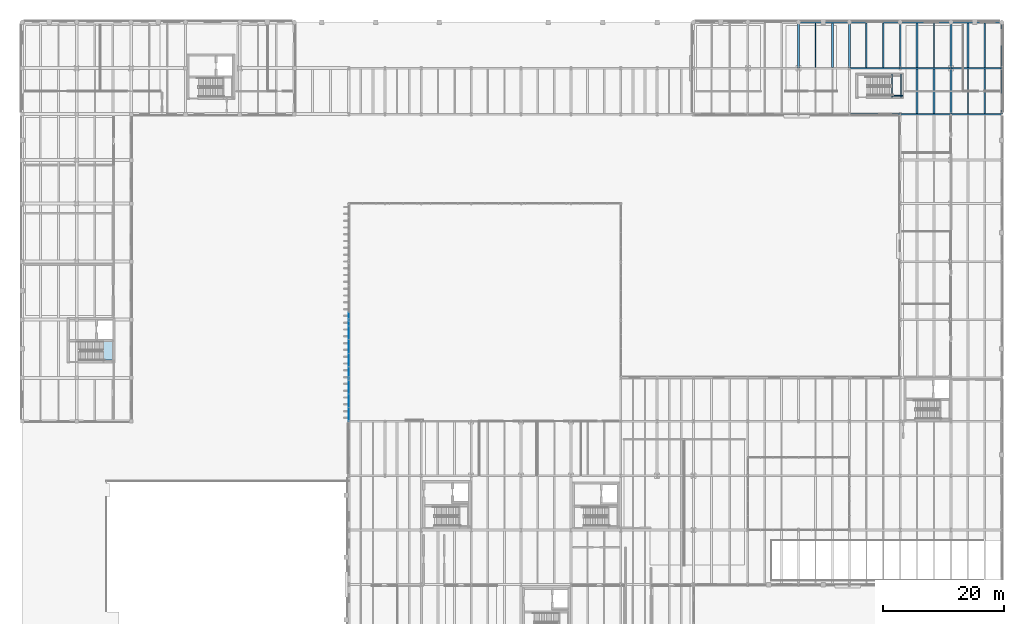
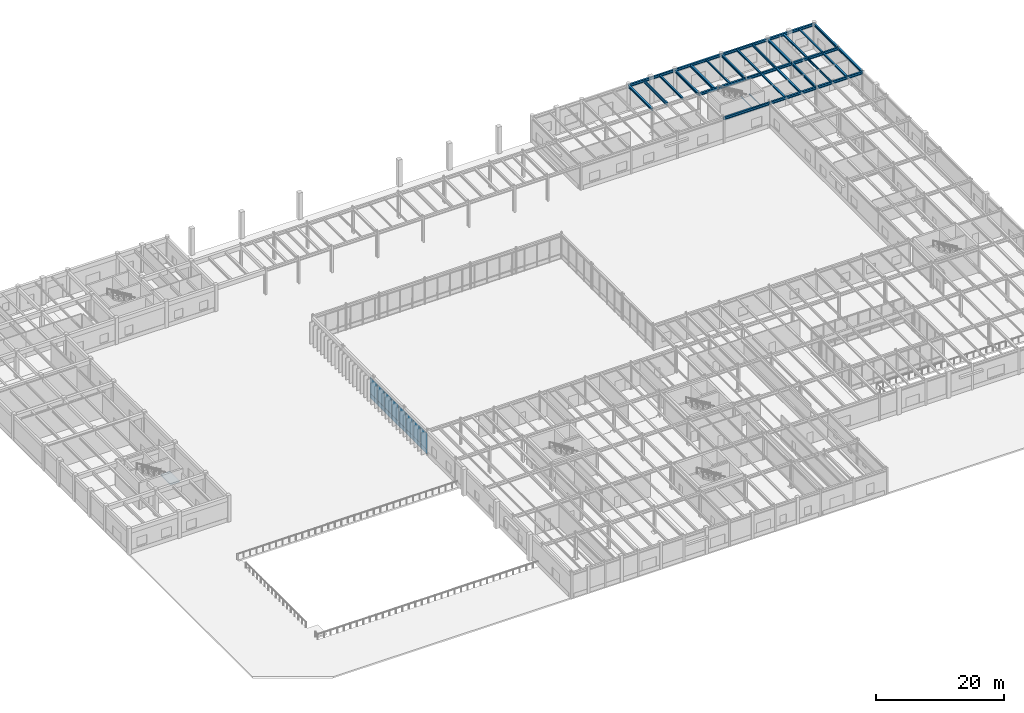
# One storey, part 31 of 64: 32 beams, 16 plates, 1 slab, 3 elements without a shape of their own.
"""IFC4 building model written with IfcOpenShell, lengths in metres."""

from ifc_helpers import new_model, si_unit, direction, frame, origin, origin_2d, place, context, subcontext, project, spatial, polyline, rectangle, i_section, outline, extrude, material, layer, layer_set, material_profile, profile_set, type_object, element, aggregate, save


model = new_model("IFC4")

# Units and contexts
model_context = context("Model", 3, precision=1e-05, world=origin(), true_north=direction((0.0, 1.0)))
body_context = subcontext(model_context, "Body", "Model", "MODEL_VIEW")
ifc_project = project(units=[si_unit("LENGTHUNIT", "METRE"), si_unit("AREAUNIT", "SQUARE_METRE"), si_unit("VOLUMEUNIT", "CUBIC_METRE"), si_unit("PLANEANGLEUNIT", "RADIAN"), si_unit("MASSUNIT", "GRAM", prefix="KILO")], contexts=[model_context])

# Site, building, storey
site_placement = place(None, origin())
site = spatial("IfcSite", under=ifc_project, at=site_placement, CompositionType="ELEMENT")
building_placement = place(site_placement, origin())
building = spatial("IfcBuilding", under=site, at=building_placement, Name="Montealbar Specialist Clinic", CompositionType="ELEMENT")
storey_placement = place(building_placement, origin())
storey = spatial("IfcBuildingStorey", under=building, at=storey_placement, Name="L00", CompositionType="ELEMENT", Elevation=0.0)

# Beams
ifc_material_1 = material(Name="Steel S355", Category="steel")
ifc_material_profile_1 = material_profile(ifc_material_1, i_section(OverallWidth=0.300048828125, OverallDepth=0.449951171875, WebThickness=0.013916015625, FlangeThickness=0.02587890625, FilletRadius=0.027099609375, at=origin_2d()), Name="HEB 450", Category="steel")
ifc_profile_set_1 = profile_set([ifc_material_profile_1], Name="Steel S355")
beam_type_1 = type_object("IfcBeamType", Name="BM-GIRD-HEB450", PredefinedType="BEAM", material=ifc_profile_set_1)
beam_1_placement = place(storey_placement, frame((145.199951171875, 103.39990234375, 4.5849609375), z_axis=(0.0, 1.0, 0.0), x_axis=(-1.0, 0.0, 0.0)))
element("IfcBeam", 1, at=beam_1_placement, inside=storey, type_object=beam_type_1, Name="Beam GY-L00-1452-1034-1110", PredefinedType="BEAM", context=body_context, shape_type="SweptSolid", body=[
    extrude(i_section(OverallWidth=0.300048828125, OverallDepth=0.449951171875, WebThickness=0.013916015625, FlangeThickness=0.02587890625, FilletRadius=0.027099609375, at=origin_2d()), origin(), (0.0, 0.0, 1.0), 7.60009765625),
])
beam_2_placement = place(storey_placement, frame((153.60009765625, 95.800048828125, 4.5849609375), z_axis=(0.0, 1.0, 0.0), x_axis=(-1.0, 0.0, 0.0)))
element("IfcBeam", 2, at=beam_2_placement, inside=storey, type_object=beam_type_1, Name="Beam GY-L00-1536-958-1034", PredefinedType="BEAM", context=body_context, shape_type="SweptSolid", body=[
    extrude(i_section(OverallWidth=0.300048828125, OverallDepth=0.449951171875, WebThickness=0.013916015625, FlangeThickness=0.02587890625, FilletRadius=0.027099609375, at=origin_2d()), origin(), (0.0, 0.0, 1.0), 7.599853515625),
])
beam_3_placement = place(storey_placement, frame((153.60009765625, 103.39990234375, 4.5849609375), z_axis=(0.0, 1.0, 0.0), x_axis=(-1.0, 0.0, 0.0)))
element("IfcBeam", 3, at=beam_3_placement, inside=storey, type_object=beam_type_1, Name="Beam GY-L00-1536-1034-1110", PredefinedType="BEAM", context=body_context, shape_type="SweptSolid", body=[
    extrude(i_section(OverallWidth=0.300048828125, OverallDepth=0.449951171875, WebThickness=0.013916015625, FlangeThickness=0.02587890625, FilletRadius=0.027099609375, at=origin_2d()), origin(), (0.0, 0.0, 1.0), 7.60009765625),
])
ifc_material_profile_2 = material_profile(ifc_material_1, i_section(OverallWidth=0.300048828125, OverallDepth=0.449951171875, WebThickness=0.013916015625, FlangeThickness=0.02587890625, FilletRadius=0.027099609375, at=origin_2d()), Name="HEB 450", Category="steel")
ifc_profile_set_2 = profile_set([ifc_material_profile_2], Name="Steel S355")
beam_type_2 = type_object("IfcBeamType", Name="BM-GIRD-HEB450-EXT", PredefinedType="BEAM", material=ifc_profile_set_2)
for number, where, z_axis, x_axis, name in (
    (4, (128.39990234375, 103.39990234375, 4.5849609375), (0.0, 1.0, 0.0), (-1.0, 0.0, 0.0), "Beam GY-L00-1284-1034-1110"),
    (5, (136.800048828125, 103.39990234375, 4.5849609375), (0.0, 1.0, 0.0), (-1.0, 0.0, 0.0), "Beam GY-L00-1368-1034-1110"),
):
    element("IfcBeam", number, at=place(storey_placement, frame(where, z_axis=z_axis, x_axis=x_axis)), inside=storey, type_object=beam_type_2, Name=name, PredefinedType="BEAM", context=body_context, shape_type="SweptSolid", body=[
        extrude(i_section(OverallWidth=0.300048828125, OverallDepth=0.449951171875, WebThickness=0.013916015625, FlangeThickness=0.02587890625, FilletRadius=0.027099609375, at=origin_2d()), origin(), (0.0, 0.0, 1.0), 7.60009765625),
    ])
beam_4_placement = place(storey_placement, frame((162.0, 95.800048828125, 4.5849609375), z_axis=(0.0, 1.0, 0.0), x_axis=(-1.0, 0.0, 0.0)))
element("IfcBeam", 6, at=beam_4_placement, inside=storey, type_object=beam_type_2, Name="Beam GY-L00-1620-958-1034", PredefinedType="BEAM", context=body_context, shape_type="SweptSolid", body=[
    extrude(i_section(OverallWidth=0.300048828125, OverallDepth=0.449951171875, WebThickness=0.013916015625, FlangeThickness=0.02587890625, FilletRadius=0.027099609375, at=origin_2d()), origin(), (0.0, 0.0, 1.0), 7.599853515625),
])
beam_5_placement = place(storey_placement, frame((162.0, 103.39990234375, 4.5849609375), z_axis=(0.0, 1.0, 0.0), x_axis=(-1.0, 0.0, 0.0)))
element("IfcBeam", 7, at=beam_5_placement, inside=storey, type_object=beam_type_2, Name="Beam GY-L00-1620-1034-1110", PredefinedType="BEAM", context=body_context, shape_type="SweptSolid", body=[
    extrude(i_section(OverallWidth=0.300048828125, OverallDepth=0.449951171875, WebThickness=0.013916015625, FlangeThickness=0.02587890625, FilletRadius=0.027099609375, at=origin_2d()), origin(), (0.0, 0.0, 1.0), 7.60009765625),
])
ifc_material_profile_3 = material_profile(ifc_material_1, i_section(OverallWidth=0.300048828125, OverallDepth=0.5, WebThickness=0.014404296875, FlangeThickness=0.028076171875, FilletRadius=0.027099609375, at=origin_2d()), Name="HEB 500", Category="steel")
ifc_profile_set_3 = profile_set([ifc_material_profile_3], Name="Steel S355")
beam_type_3 = type_object("IfcBeamType", Name="BM-GIRD-HEB500", PredefinedType="BEAM", material=ifc_profile_set_3)
beam_6_placement = place(storey_placement, frame((136.800048828125, 103.39990234375, 4.56005859375), z_axis=(1.0, 0.0, 0.0), x_axis=(0.0, 1.0, 0.0)))
element("IfcBeam", 8, at=beam_6_placement, inside=storey, type_object=beam_type_3, Name="Beam GX-L00-1368-1452-1034", PredefinedType="BEAM", context=body_context, shape_type="SweptSolid", body=[
    extrude(i_section(OverallWidth=0.300048828125, OverallDepth=0.5, WebThickness=0.014404296875, FlangeThickness=0.028076171875, FilletRadius=0.027099609375, at=origin_2d()), origin(), (0.0, 0.0, 1.0), 8.39990234375),
])
beam_7_placement = place(storey_placement, frame((145.199951171875, 103.39990234375, 4.56005859375), z_axis=(1.0, 0.0, 0.0), x_axis=(0.0, 1.0, 0.0)))
element("IfcBeam", 9, at=beam_7_placement, inside=storey, type_object=beam_type_3, Name="Beam GX-L00-1452-1536-1034", PredefinedType="BEAM", context=body_context, shape_type="SweptSolid", body=[
    extrude(i_section(OverallWidth=0.300048828125, OverallDepth=0.5, WebThickness=0.014404296875, FlangeThickness=0.028076171875, FilletRadius=0.027099609375, at=origin_2d()), origin(), (0.0, 0.0, 1.0), 8.400146484375),
])
beam_8_placement = place(storey_placement, frame((153.60009765625, 103.39990234375, 4.56005859375), z_axis=(1.0, 0.0, 0.0), x_axis=(0.0, 1.0, 0.0)))
element("IfcBeam", 10, at=beam_8_placement, inside=storey, type_object=beam_type_3, Name="Beam GX-L00-1536-1620-1034", PredefinedType="BEAM", context=body_context, shape_type="SweptSolid", body=[
    extrude(i_section(OverallWidth=0.300048828125, OverallDepth=0.5, WebThickness=0.014404296875, FlangeThickness=0.028076171875, FilletRadius=0.027099609375, at=origin_2d()), origin(), (0.0, 0.0, 1.0), 8.39990234375),
])
ifc_material_profile_4 = material_profile(ifc_material_1, i_section(OverallWidth=0.300048828125, OverallDepth=0.5, WebThickness=0.014404296875, FlangeThickness=0.028076171875, FilletRadius=0.027099609375, at=origin_2d()), Name="HEB 500", Category="steel")
ifc_profile_set_4 = profile_set([ifc_material_profile_4], Name="Steel S355")
beam_type_4 = type_object("IfcBeamType", Name="BM-GIRD-HEB500-EXT", PredefinedType="BEAM", material=ifc_profile_set_4)
beam_9_placement = place(storey_placement, frame((136.800048828125, 95.800048828125, 4.56005859375), z_axis=(1.0, 0.0, 0.0), x_axis=(0.0, 1.0, 0.0)))
element("IfcBeam", 11, at=beam_9_placement, inside=storey, type_object=beam_type_4, Name="Beam GX-L00-1368-1452-958", PredefinedType="BEAM", context=body_context, shape_type="SweptSolid", body=[
    extrude(i_section(OverallWidth=0.300048828125, OverallDepth=0.5, WebThickness=0.014404296875, FlangeThickness=0.028076171875, FilletRadius=0.027099609375, at=origin_2d()), origin(), (0.0, 0.0, 1.0), 8.39990234375),
])
beam_10_placement = place(storey_placement, frame((145.199951171875, 95.800048828125, 4.56005859375), z_axis=(1.0, 0.0, 0.0), x_axis=(0.0, 1.0, 0.0)))
element("IfcBeam", 12, at=beam_10_placement, inside=storey, type_object=beam_type_4, Name="Beam GX-L00-1452-1536-958", PredefinedType="BEAM", context=body_context, shape_type="SweptSolid", body=[
    extrude(i_section(OverallWidth=0.300048828125, OverallDepth=0.5, WebThickness=0.014404296875, FlangeThickness=0.028076171875, FilletRadius=0.027099609375, at=origin_2d()), origin(), (0.0, 0.0, 1.0), 8.400146484375),
])
beam_11_placement = place(storey_placement, frame((153.60009765625, 95.800048828125, 4.56005859375), z_axis=(1.0, 0.0, 0.0), x_axis=(0.0, 1.0, 0.0)))
element("IfcBeam", 13, at=beam_11_placement, inside=storey, type_object=beam_type_4, Name="Beam GX-L00-1536-1620-958", PredefinedType="BEAM", context=body_context, shape_type="SweptSolid", body=[
    extrude(i_section(OverallWidth=0.300048828125, OverallDepth=0.5, WebThickness=0.014404296875, FlangeThickness=0.028076171875, FilletRadius=0.027099609375, at=origin_2d()), origin(), (0.0, 0.0, 1.0), 8.39990234375),
])
beam_12_placement = place(storey_placement, frame((128.39990234375, 111.0, 4.56005859375), z_axis=(1.0, 0.0, 0.0), x_axis=(0.0, 1.0, 0.0)))
element("IfcBeam", 14, at=beam_12_placement, inside=storey, type_object=beam_type_4, Name="Beam GX-L00-1284-1368-1110", PredefinedType="BEAM", context=body_context, shape_type="SweptSolid", body=[
    extrude(i_section(OverallWidth=0.300048828125, OverallDepth=0.5, WebThickness=0.014404296875, FlangeThickness=0.028076171875, FilletRadius=0.027099609375, at=origin_2d()), origin(), (0.0, 0.0, 1.0), 8.400146484375),
])
beam_13_placement = place(storey_placement, frame((136.800048828125, 111.0, 4.56005859375), z_axis=(1.0, 0.0, 0.0), x_axis=(0.0, 1.0, 0.0)))
element("IfcBeam", 15, at=beam_13_placement, inside=storey, type_object=beam_type_4, Name="Beam GX-L00-1368-1452-1110", PredefinedType="BEAM", context=body_context, shape_type="SweptSolid", body=[
    extrude(i_section(OverallWidth=0.300048828125, OverallDepth=0.5, WebThickness=0.014404296875, FlangeThickness=0.028076171875, FilletRadius=0.027099609375, at=origin_2d()), origin(), (0.0, 0.0, 1.0), 8.39990234375),
])
beam_14_placement = place(storey_placement, frame((145.199951171875, 111.0, 4.56005859375), z_axis=(1.0, 0.0, 0.0), x_axis=(0.0, 1.0, 0.0)))
element("IfcBeam", 16, at=beam_14_placement, inside=storey, type_object=beam_type_4, Name="Beam GX-L00-1452-1536-1110", PredefinedType="BEAM", context=body_context, shape_type="SweptSolid", body=[
    extrude(i_section(OverallWidth=0.300048828125, OverallDepth=0.5, WebThickness=0.014404296875, FlangeThickness=0.028076171875, FilletRadius=0.027099609375, at=origin_2d()), origin(), (0.0, 0.0, 1.0), 8.400146484375),
])
beam_15_placement = place(storey_placement, frame((153.60009765625, 111.0, 4.56005859375), z_axis=(1.0, 0.0, 0.0), x_axis=(0.0, 1.0, 0.0)))
element("IfcBeam", 17, at=beam_15_placement, inside=storey, type_object=beam_type_4, Name="Beam GX-L00-1536-1620-1110", PredefinedType="BEAM", context=body_context, shape_type="SweptSolid", body=[
    extrude(i_section(OverallWidth=0.300048828125, OverallDepth=0.5, WebThickness=0.014404296875, FlangeThickness=0.028076171875, FilletRadius=0.027099609375, at=origin_2d()), origin(), (0.0, 0.0, 1.0), 8.39990234375),
])
ifc_material_profile_5 = material_profile(ifc_material_1, i_section(OverallWidth=0.300048828125, OverallDepth=0.35009765625, WebThickness=0.010009765625, FlangeThickness=0.017578125, FilletRadius=0.027099609375, at=origin_2d()), Name="HEA 360", Category="steel")
ifc_profile_set_5 = profile_set([ifc_material_profile_5], Name="Steel S355")
beam_type_5 = type_object("IfcBeamType", Name="BM-JST-HEA360", PredefinedType="JOIST", material=ifc_profile_set_5)
beam_16_placement = place(storey_placement, frame((134.0, 103.550048828125, 4.635009765625), z_axis=(0.0, 1.0, 0.0), x_axis=(-1.0, 0.0, 0.0)))
element("IfcBeam", 18, at=beam_16_placement, inside=storey, type_object=beam_type_5, Name="Beam JST-L00-1340-1036-1108", PredefinedType="JOIST", context=body_context, shape_type="SweptSolid", body=[
    extrude(i_section(OverallWidth=0.300048828125, OverallDepth=0.35009765625, WebThickness=0.010009765625, FlangeThickness=0.017578125, FilletRadius=0.027099609375, at=origin_2d()), origin(), (0.0, 0.0, 1.0), 7.300048828125),
])
ifc_material_profile_6 = material_profile(ifc_material_1, i_section(OverallWidth=0.300048828125, OverallDepth=0.489990234375, WebThickness=0.011962890625, FlangeThickness=0.02294921875, FilletRadius=0.027099609375, at=origin_2d()), Name="HEA 500", Category="steel")
ifc_profile_set_6 = profile_set([ifc_material_profile_6], Name="Steel S355")
beam_type_6 = type_object("IfcBeamType", Name="BM-JST-HEA500", PredefinedType="JOIST", material=ifc_profile_set_6)
beam_17_placement = place(storey_placement, frame((139.60009765625, 103.550048828125, 4.56494140625), z_axis=(0.0, 1.0, 0.0), x_axis=(-1.0, 0.0, 0.0)))
element("IfcBeam", 19, at=beam_17_placement, inside=storey, type_object=beam_type_6, Name="Beam JST-L00-1396-1036-1108", PredefinedType="JOIST", context=body_context, shape_type="SweptSolid", body=[
    extrude(i_section(OverallWidth=0.300048828125, OverallDepth=0.489990234375, WebThickness=0.011962890625, FlangeThickness=0.02294921875, FilletRadius=0.027099609375, at=origin_2d()), origin(), (0.0, 0.0, 1.0), 7.300048828125),
])
ifc_material_profile_7 = material_profile(ifc_material_1, i_section(OverallWidth=0.239990234375, OverallDepth=0.239990234375, WebThickness=0.010009765625, FlangeThickness=0.01708984375, FilletRadius=0.02099609375, at=origin_2d()), Name="HEB 240", Category="steel")
ifc_profile_set_7 = profile_set([ifc_material_profile_7], Name="Steel S355")
beam_type_7 = type_object("IfcBeamType", Name="BM-JST-HEB240", PredefinedType="JOIST", material=ifc_profile_set_7)
beam_18_placement = place(storey_placement, frame((142.39990234375, 103.550048828125, 4.68994140625), z_axis=(0.0, 1.0, 0.0), x_axis=(-1.0, 0.0, 0.0)))
element("IfcBeam", 20, at=beam_18_placement, inside=storey, type_object=beam_type_7, Name="Beam JST-L00-1424-1036-1108", PredefinedType="JOIST", context=body_context, shape_type="SweptSolid", body=[
    extrude(i_section(OverallWidth=0.239990234375, OverallDepth=0.239990234375, WebThickness=0.010009765625, FlangeThickness=0.01708984375, FilletRadius=0.02099609375, at=origin_2d()), origin(), (0.0, 0.0, 1.0), 7.300048828125),
])
ifc_material_profile_8 = material_profile(ifc_material_1, i_section(OverallWidth=0.280029296875, OverallDepth=0.280029296875, WebThickness=0.010498046875, FlangeThickness=0.01806640625, FilletRadius=0.02392578125, at=origin_2d()), Name="HEB 280", Category="steel")
ifc_profile_set_8 = profile_set([ifc_material_profile_8], Name="Steel S355")
beam_type_8 = type_object("IfcBeamType", Name="BM-JST-HEB280", PredefinedType="JOIST", material=ifc_profile_set_8)
beam_19_placement = place(storey_placement, frame((148.0, 95.949951171875, 4.669921875), z_axis=(0.0, 1.0, 0.0), x_axis=(-1.0, 0.0, 0.0)))
element("IfcBeam", 21, at=beam_19_placement, inside=storey, type_object=beam_type_8, Name="Beam JST-L00-1480-960-1032", PredefinedType="JOIST", context=body_context, shape_type="SweptSolid", body=[
    extrude(i_section(OverallWidth=0.280029296875, OverallDepth=0.280029296875, WebThickness=0.010498046875, FlangeThickness=0.01806640625, FilletRadius=0.02392578125, at=origin_2d()), origin(), (0.0, 0.0, 1.0), 7.300048828125),
])
ifc_material_profile_9 = material_profile(ifc_material_1, i_section(OverallWidth=0.300048828125, OverallDepth=0.320068359375, WebThickness=0.011474609375, FlangeThickness=0.0205078125, FilletRadius=0.027099609375, at=origin_2d()), Name="HEB 320", Category="steel")
ifc_profile_set_9 = profile_set([ifc_material_profile_9], Name="Steel S355")
beam_type_9 = type_object("IfcBeamType", Name="BM-JST-HEB320", PredefinedType="JOIST", material=ifc_profile_set_9)
for number, where, z_axis, x_axis, name in (
    (22, (150.800048828125, 95.949951171875, 4.64990234375), (0.0, 1.0, 0.0), (-1.0, 0.0, 0.0), "Beam JST-L00-1508-960-1032"),
    (23, (148.0, 103.550048828125, 4.64990234375), (0.0, 1.0, 0.0), (-1.0, 0.0, 0.0), "Beam JST-L00-1480-1036-1108"),
):
    element("IfcBeam", number, at=place(storey_placement, frame(where, z_axis=z_axis, x_axis=x_axis)), inside=storey, type_object=beam_type_9, Name=name, PredefinedType="JOIST", context=body_context, shape_type="SweptSolid", body=[
        extrude(i_section(OverallWidth=0.300048828125, OverallDepth=0.320068359375, WebThickness=0.011474609375, FlangeThickness=0.0205078125, FilletRadius=0.027099609375, at=origin_2d()), origin(), (0.0, 0.0, 1.0), 7.300048828125),
    ])
ifc_material_profile_10 = material_profile(ifc_material_1, i_section(OverallWidth=0.219970703125, OverallDepth=0.60009765625, WebThickness=0.011962890625, FlangeThickness=0.01904296875, FilletRadius=0.02392578125, at=origin_2d()), Name="IPE 600", Category="steel")
ifc_profile_set_10 = profile_set([ifc_material_profile_10], Name="Steel S355")
beam_type_10 = type_object("IfcBeamType", Name="BM-JST-IPE600", PredefinedType="JOIST", material=ifc_profile_set_10)
beam_20_placement = place(storey_placement, frame((131.199951171875, 103.550048828125, 4.510009765625), z_axis=(0.0, 1.0, 0.0), x_axis=(-1.0, 0.0, 0.0)))
element("IfcBeam", 24, at=beam_20_placement, inside=storey, type_object=beam_type_10, Name="Beam JST-L00-1312-1036-1108", PredefinedType="JOIST", context=body_context, shape_type="SweptSolid", body=[
    extrude(i_section(OverallWidth=0.219970703125, OverallDepth=0.60009765625, WebThickness=0.011962890625, FlangeThickness=0.01904296875, FilletRadius=0.02392578125, at=origin_2d()), origin(), (0.0, 0.0, 1.0), 7.300048828125),
])
ifc_material_profile_11 = material_profile(ifc_material_1, i_section(OverallWidth=0.10009765625, OverallDepth=0.199951171875, WebThickness=0.005615234375, FlangeThickness=0.008544921875, FilletRadius=0.011962890625, at=origin_2d()), Name="IPE 200", Category="steel")
ifc_profile_set_11 = profile_set([ifc_material_profile_11], Name="Steel S355")
beam_type_11 = type_object("IfcBeamType", Name="BM-LINT-IPE200", PredefinedType="LINTEL", material=ifc_profile_set_11)
for number, where, z_axis, x_axis, name in (
    (25, (143.860107421875, 98.60009765625, 2.25), (0.0, 1.0, 0.0), (-1.0, 0.0, 0.0), "Core C7 Stair Landing Beam L00 W"),
    (26, (145.330078125, 98.60009765625, 2.25), (0.0, 1.0, 0.0), (-1.0, 0.0, 0.0), "Core C7 Stair Landing Beam L00 E"),
):
    element("IfcBeam", number, at=place(storey_placement, frame(where, z_axis=z_axis, x_axis=x_axis)), inside=storey, type_object=beam_type_11, Name=name, PredefinedType="LINTEL", context=body_context, shape_type="SweptSolid", body=[
        extrude(i_section(OverallWidth=0.10009765625, OverallDepth=0.199951171875, WebThickness=0.005615234375, FlangeThickness=0.008544921875, FilletRadius=0.011962890625, at=origin_2d()), origin(), (0.0, 0.0, 1.0), 3.7998046875),
    ])
beam_21_placement = place(storey_placement, frame((143.860107421875, 98.85009765625, 2.25), z_axis=(1.0, 0.0, 0.0), x_axis=(0.0, 1.0, 0.0)))
element("IfcBeam", 27, at=beam_21_placement, inside=storey, type_object=beam_type_11, Name="Core C7 Stair Landing Tie Beam L00", PredefinedType="LINTEL", context=body_context, shape_type="SweptSolid", body=[
    extrude(i_section(OverallWidth=0.10009765625, OverallDepth=0.199951171875, WebThickness=0.005615234375, FlangeThickness=0.008544921875, FilletRadius=0.011962890625, at=origin_2d()), origin(), (0.0, 0.0, 1.0), 1.739990234375),
])
ifc_material_profile_12 = material_profile(ifc_material_1, i_section(OverallWidth=0.179931640625, OverallDepth=0.39990234375, WebThickness=0.008544921875, FlangeThickness=0.013427734375, FilletRadius=0.02099609375, at=origin_2d()), Name="IPE 400", Category="steel")
ifc_profile_set_12 = profile_set([ifc_material_profile_12], Name="Steel S355")
beam_type_12 = type_object("IfcBeamType", Name="BM-SEC-IPE400", PredefinedType="BEAM", material=ifc_profile_set_12)
beam_22_placement = place(storey_placement, frame((156.39990234375, 95.949951171875, 4.610107421875), z_axis=(0.0, 1.0, 0.0), x_axis=(-1.0, 0.0, 0.0)))
element("IfcBeam", 28, at=beam_22_placement, inside=storey, type_object=beam_type_12, Name="Beam JST-L00-1564-960-1032", PredefinedType="BEAM", context=body_context, shape_type="SweptSolid", body=[
    extrude(i_section(OverallWidth=0.179931640625, OverallDepth=0.39990234375, WebThickness=0.008544921875, FlangeThickness=0.013427734375, FilletRadius=0.02099609375, at=origin_2d()), origin(), (0.0, 0.0, 1.0), 7.300048828125),
])
ifc_material_profile_13 = material_profile(ifc_material_1, i_section(OverallWidth=0.18994140625, OverallDepth=0.449951171875, WebThickness=0.009521484375, FlangeThickness=0.0146484375, FilletRadius=0.02099609375, at=origin_2d()), Name="IPE 450", Category="steel")
ifc_profile_set_13 = profile_set([ifc_material_profile_13], Name="Steel S355")
beam_type_13 = type_object("IfcBeamType", Name="BM-SEC-IPE450", PredefinedType="BEAM", material=ifc_profile_set_13)
beam_23_placement = place(storey_placement, frame((150.800048828125, 103.550048828125, 4.5849609375), z_axis=(0.0, 1.0, 0.0), x_axis=(-1.0, 0.0, 0.0)))
element("IfcBeam", 29, at=beam_23_placement, inside=storey, type_object=beam_type_13, Name="Beam JST-L00-1508-1036-1108", PredefinedType="BEAM", context=body_context, shape_type="SweptSolid", body=[
    extrude(i_section(OverallWidth=0.18994140625, OverallDepth=0.449951171875, WebThickness=0.009521484375, FlangeThickness=0.0146484375, FilletRadius=0.02099609375, at=origin_2d()), origin(), (0.0, 0.0, 1.0), 7.300048828125),
])
ifc_material_profile_14 = material_profile(ifc_material_1, i_section(OverallWidth=0.239990234375, OverallDepth=0.22998046875, WebThickness=0.007568359375, FlangeThickness=0.011962890625, FilletRadius=0.02099609375, at=origin_2d()), Name="HEA 240", Category="steel")
ifc_profile_set_14 = profile_set([ifc_material_profile_14], Name="Steel S355")
beam_type_14 = type_object("IfcBeamType", Name="BM-SPAND-HEA240", PredefinedType="SPANDREL", material=ifc_profile_set_14)
beam_24_placement = place(storey_placement, frame((159.199951171875, 103.550048828125, 4.695068359375), z_axis=(0.0, 1.0, 0.0), x_axis=(-1.0, 0.0, 0.0)))
element("IfcBeam", 30, at=beam_24_placement, inside=storey, type_object=beam_type_14, Name="Beam JST-L00-1592-1036-1108", PredefinedType="SPANDREL", context=body_context, shape_type="SweptSolid", body=[
    extrude(i_section(OverallWidth=0.239990234375, OverallDepth=0.22998046875, WebThickness=0.007568359375, FlangeThickness=0.011962890625, FilletRadius=0.02099609375, at=origin_2d()), origin(), (0.0, 0.0, 1.0), 7.300048828125),
])
ifc_material_profile_15 = material_profile(ifc_material_1, i_section(OverallWidth=0.300048828125, OverallDepth=0.2900390625, WebThickness=0.008544921875, FlangeThickness=0.013916015625, FilletRadius=0.027099609375, at=origin_2d()), Name="HEA 300", Category="steel")
ifc_profile_set_15 = profile_set([ifc_material_profile_15], Name="Steel S355")
beam_type_15 = type_object("IfcBeamType", Name="BM-SPAND-HEA300", PredefinedType="SPANDREL", material=ifc_profile_set_15)
for number, where, z_axis, x_axis, name in (
    (31, (159.199951171875, 95.949951171875, 4.6650390625), (0.0, 1.0, 0.0), (-1.0, 0.0, 0.0), "Beam JST-L00-1592-960-1032"),
    (32, (156.39990234375, 103.550048828125, 4.6650390625), (0.0, 1.0, 0.0), (-1.0, 0.0, 0.0), "Beam JST-L00-1564-1036-1108"),
):
    element("IfcBeam", number, at=place(storey_placement, frame(where, z_axis=z_axis, x_axis=x_axis)), inside=storey, type_object=beam_type_15, Name=name, PredefinedType="SPANDREL", context=body_context, shape_type="SweptSolid", body=[
        extrude(i_section(OverallWidth=0.300048828125, OverallDepth=0.2900390625, WebThickness=0.008544921875, FlangeThickness=0.013916015625, FilletRadius=0.027099609375, at=origin_2d()), origin(), (0.0, 0.0, 1.0), 7.300048828125),
    ])

# Curtain wall, plates
ifc_material_2 = material(Name="Low-E double glazing", Category="glass")
ifc_layer_1 = layer(ifc_material_2, 0.199951171875, Name="Low-E double glazing", Category="glass")
ifc_layer_set_1 = layer_set([ifc_layer_1], Name="Low-E double glazing")
curtain_wall_type = type_object("IfcCurtainWallType", Name="CW-TYPE-01", PredefinedType="NOTDEFINED", material=ifc_layer_set_1)
curtain_wall_1_placement = place(storey_placement, origin())
curtain_wall_1 = element("IfcCurtainWall", 33, at=curtain_wall_1_placement, inside=storey, type_object=curtain_wall_type, Name="Unitised Curtain Wall CW-L00-540-450-540-540-0", PredefinedType="NOTDEFINED")
ifc_layer_2 = layer(ifc_material_2, 0.048095703125, Name="Low-E double glazing", Category="glass")
ifc_layer_set_2 = layer_set([ifc_layer_2], Name="Low-E double glazing")
plate_type = type_object("IfcPlateType", Name="CW-PNL-IGU48", PredefinedType="CURTAIN_PANEL", material=ifc_layer_set_2)
plate_1_placement = place(storey_placement, frame((54.0, 46.125, 0.070068359375), z_axis=(0.0, 0.0, 1.0), x_axis=(0.0, 1.0, 0.0)))
plate_1 = element("IfcPlate", 34, at=plate_1_placement, type_object=plate_type, Name="Glazed Curtain Panel CW-L00-540-450-540-540-0-1-1", PredefinedType="CURTAIN_PANEL", context=body_context, shape_type="SweptSolid", body=[
    extrude(rectangle(XDim=2.154052734375, YDim=0.048095703125, at=origin_2d()), origin(), (0.0, 0.0, 1.0), 0.85009765625),
])
plate_2_placement = place(storey_placement, frame((54.0, 46.125, 0.97998046875), z_axis=(0.0, 0.0, 1.0), x_axis=(0.0, 1.0, 0.0)))
plate_2 = element("IfcPlate", 35, at=plate_2_placement, type_object=plate_type, Name="Glazed Curtain Panel CW-L00-540-450-540-540-0-1-2", PredefinedType="CURTAIN_PANEL", context=body_context, shape_type="SweptSolid", body=[
    extrude(rectangle(XDim=2.154052734375, YDim=0.048095703125, at=origin_2d()), origin(), (0.0, 0.0, 1.0), 3.110107421875),
])
plate_3_placement = place(storey_placement, frame((54.0, 48.375, 0.070068359375), z_axis=(0.0, 0.0, 1.0), x_axis=(0.0, 1.0, 0.0)))
plate_3 = element("IfcPlate", 36, at=plate_3_placement, type_object=plate_type, Name="Glazed Curtain Panel CW-L00-540-450-540-540-0-2-1", PredefinedType="CURTAIN_PANEL", context=body_context, shape_type="SweptSolid", body=[
    extrude(rectangle(XDim=2.154052734375, YDim=0.048095703125, at=origin_2d()), origin(), (0.0, 0.0, 1.0), 0.85009765625),
])
plate_4_placement = place(storey_placement, frame((54.0, 48.375, 0.97998046875), z_axis=(0.0, 0.0, 1.0), x_axis=(0.0, 1.0, 0.0)))
plate_4 = element("IfcPlate", 37, at=plate_4_placement, type_object=plate_type, Name="Glazed Curtain Panel CW-L00-540-450-540-540-0-2-2", PredefinedType="CURTAIN_PANEL", context=body_context, shape_type="SweptSolid", body=[
    extrude(rectangle(XDim=2.154052734375, YDim=0.048095703125, at=origin_2d()), origin(), (0.0, 0.0, 1.0), 3.110107421875),
])
plate_5_placement = place(storey_placement, frame((54.0, 50.625, 0.070068359375), z_axis=(0.0, 0.0, 1.0), x_axis=(0.0, 1.0, 0.0)))
plate_5 = element("IfcPlate", 38, at=plate_5_placement, type_object=plate_type, Name="Glazed Curtain Panel CW-L00-540-450-540-540-0-3-1", PredefinedType="CURTAIN_PANEL", context=body_context, shape_type="SweptSolid", body=[
    extrude(rectangle(XDim=2.154052734375, YDim=0.048095703125, at=origin_2d()), origin(), (0.0, 0.0, 1.0), 0.85009765625),
])
plate_6_placement = place(storey_placement, frame((54.0, 50.625, 0.97998046875), z_axis=(0.0, 0.0, 1.0), x_axis=(0.0, 1.0, 0.0)))
plate_6 = element("IfcPlate", 39, at=plate_6_placement, type_object=plate_type, Name="Glazed Curtain Panel CW-L00-540-450-540-540-0-3-2", PredefinedType="CURTAIN_PANEL", context=body_context, shape_type="SweptSolid", body=[
    extrude(rectangle(XDim=2.154052734375, YDim=0.048095703125, at=origin_2d()), origin(), (0.0, 0.0, 1.0), 3.110107421875),
])
plate_7_placement = place(storey_placement, frame((54.0, 52.875, 0.070068359375), z_axis=(0.0, 0.0, 1.0), x_axis=(0.0, 1.0, 0.0)))
plate_7 = element("IfcPlate", 40, at=plate_7_placement, type_object=plate_type, Name="Glazed Curtain Panel CW-L00-540-450-540-540-0-4-1", PredefinedType="CURTAIN_PANEL", context=body_context, shape_type="SweptSolid", body=[
    extrude(rectangle(XDim=2.154052734375, YDim=0.048095703125, at=origin_2d()), origin(), (0.0, 0.0, 1.0), 0.85009765625),
])
plate_8_placement = place(storey_placement, frame((54.0, 52.875, 0.97998046875), z_axis=(0.0, 0.0, 1.0), x_axis=(0.0, 1.0, 0.0)))
plate_8 = element("IfcPlate", 41, at=plate_8_placement, type_object=plate_type, Name="Glazed Curtain Panel CW-L00-540-450-540-540-0-4-2", PredefinedType="CURTAIN_PANEL", context=body_context, shape_type="SweptSolid", body=[
    extrude(rectangle(XDim=2.154052734375, YDim=0.048095703125, at=origin_2d()), origin(), (0.0, 0.0, 1.0), 3.110107421875),
])
aggregate(curtain_wall_1, [plate_1, plate_2, plate_3, plate_4, plate_5, plate_6, plate_7, plate_8])

curtain_wall_2_placement = place(storey_placement, origin())
curtain_wall_2 = element("IfcCurtainWall", 42, at=curtain_wall_2_placement, inside=storey, type_object=curtain_wall_type, Name="Unitised Curtain Wall CW-L00-540-540-540-630-0", PredefinedType="NOTDEFINED")
plate_9_placement = place(storey_placement, frame((54.0, 55.125, 0.070068359375), z_axis=(0.0, 0.0, 1.0), x_axis=(0.0, 1.0, 0.0)))
plate_9 = element("IfcPlate", 43, at=plate_9_placement, type_object=plate_type, Name="Glazed Curtain Panel CW-L00-540-540-540-630-0-1-1", PredefinedType="CURTAIN_PANEL", context=body_context, shape_type="SweptSolid", body=[
    extrude(rectangle(XDim=2.154052734375, YDim=0.048095703125, at=origin_2d()), origin(), (0.0, 0.0, 1.0), 0.85009765625),
])
plate_10_placement = place(storey_placement, frame((54.0, 55.125, 0.97998046875), z_axis=(0.0, 0.0, 1.0), x_axis=(0.0, 1.0, 0.0)))
plate_10 = element("IfcPlate", 44, at=plate_10_placement, type_object=plate_type, Name="Glazed Curtain Panel CW-L00-540-540-540-630-0-1-2", PredefinedType="CURTAIN_PANEL", context=body_context, shape_type="SweptSolid", body=[
    extrude(rectangle(XDim=2.154052734375, YDim=0.048095703125, at=origin_2d()), origin(), (0.0, 0.0, 1.0), 3.110107421875),
])
plate_11_placement = place(storey_placement, frame((54.0, 57.375, 0.070068359375), z_axis=(0.0, 0.0, 1.0), x_axis=(0.0, 1.0, 0.0)))
plate_11 = element("IfcPlate", 45, at=plate_11_placement, type_object=plate_type, Name="Glazed Curtain Panel CW-L00-540-540-540-630-0-2-1", PredefinedType="CURTAIN_PANEL", context=body_context, shape_type="SweptSolid", body=[
    extrude(rectangle(XDim=2.154052734375, YDim=0.048095703125, at=origin_2d()), origin(), (0.0, 0.0, 1.0), 0.85009765625),
])
plate_12_placement = place(storey_placement, frame((54.0, 57.375, 0.97998046875), z_axis=(0.0, 0.0, 1.0), x_axis=(0.0, 1.0, 0.0)))
plate_12 = element("IfcPlate", 46, at=plate_12_placement, type_object=plate_type, Name="Glazed Curtain Panel CW-L00-540-540-540-630-0-2-2", PredefinedType="CURTAIN_PANEL", context=body_context, shape_type="SweptSolid", body=[
    extrude(rectangle(XDim=2.154052734375, YDim=0.048095703125, at=origin_2d()), origin(), (0.0, 0.0, 1.0), 3.110107421875),
])
plate_13_placement = place(storey_placement, frame((54.0, 59.625, 0.070068359375), z_axis=(0.0, 0.0, 1.0), x_axis=(0.0, 1.0, 0.0)))
plate_13 = element("IfcPlate", 47, at=plate_13_placement, type_object=plate_type, Name="Glazed Curtain Panel CW-L00-540-540-540-630-0-3-1", PredefinedType="CURTAIN_PANEL", context=body_context, shape_type="SweptSolid", body=[
    extrude(rectangle(XDim=2.154052734375, YDim=0.048095703125, at=origin_2d()), origin(), (0.0, 0.0, 1.0), 0.85009765625),
])
plate_14_placement = place(storey_placement, frame((54.0, 59.625, 0.97998046875), z_axis=(0.0, 0.0, 1.0), x_axis=(0.0, 1.0, 0.0)))
plate_14 = element("IfcPlate", 48, at=plate_14_placement, type_object=plate_type, Name="Glazed Curtain Panel CW-L00-540-540-540-630-0-3-2", PredefinedType="CURTAIN_PANEL", context=body_context, shape_type="SweptSolid", body=[
    extrude(rectangle(XDim=2.154052734375, YDim=0.048095703125, at=origin_2d()), origin(), (0.0, 0.0, 1.0), 3.110107421875),
])
plate_15_placement = place(storey_placement, frame((54.0, 61.875, 0.070068359375), z_axis=(0.0, 0.0, 1.0), x_axis=(0.0, 1.0, 0.0)))
plate_15 = element("IfcPlate", 49, at=plate_15_placement, type_object=plate_type, Name="Glazed Curtain Panel CW-L00-540-540-540-630-0-4-1", PredefinedType="CURTAIN_PANEL", context=body_context, shape_type="SweptSolid", body=[
    extrude(rectangle(XDim=2.154052734375, YDim=0.048095703125, at=origin_2d()), origin(), (0.0, 0.0, 1.0), 0.85009765625),
])
plate_16_placement = place(storey_placement, frame((54.0, 61.875, 0.97998046875), z_axis=(0.0, 0.0, 1.0), x_axis=(0.0, 1.0, 0.0)))
plate_16 = element("IfcPlate", 50, at=plate_16_placement, type_object=plate_type, Name="Glazed Curtain Panel CW-L00-540-540-540-630-0-4-2", PredefinedType="CURTAIN_PANEL", context=body_context, shape_type="SweptSolid", body=[
    extrude(rectangle(XDim=2.154052734375, YDim=0.048095703125, at=origin_2d()), origin(), (0.0, 0.0, 1.0), 3.110107421875),
])
aggregate(curtain_wall_2, [plate_9, plate_10, plate_11, plate_12, plate_13, plate_14, plate_15, plate_16])

# Stair, slab
ifc_material_3 = material(Name="Concrete C35/45", Category="concrete")
stair_type = type_object("IfcStairType", Name="STAIR-HT-02", PredefinedType="HALF_TURN_STAIR", material=ifc_material_3)
stair_placement = place(storey_placement, origin())
stair = element("IfcStair", 51, at=stair_placement, inside=storey, type_object=stair_type, Name="L00 Protected Exit Stair Core C1", PredefinedType="HALF_TURN_STAIR")
ifc_layer_3 = layer(ifc_material_3, 0.199951171875, Name="Concrete C35/45", Category="concrete")
ifc_layer_set_3 = layer_set([ifc_layer_3], Name="Concrete C35/45")
slab_type = type_object("IfcSlabType", Name="SL-STAIR-LAND-200", PredefinedType="LANDING", material=ifc_layer_set_3)
slab_placement = place(storey_placement, frame((0.0, 0.0, 2.35009765625)))
slab = element("IfcSlab", 52, at=slab_placement, type_object=slab_type, Name="ST-01 landing 1", PredefinedType="LANDING", context=body_context, shape_type="SweptSolid", body=[
    extrude(outline(polyline([(13.340087890625, 55.10009765625), (15.050048828125, 55.10009765625), (15.050048828125, 58.199951171875), (13.340087890625, 58.199951171875), (13.340087890625, 55.10009765625)])), origin(), (0.0, 0.0, 1.0), 0.199951171875),
])
aggregate(stair, [slab])

save(model, "model.ifc")
